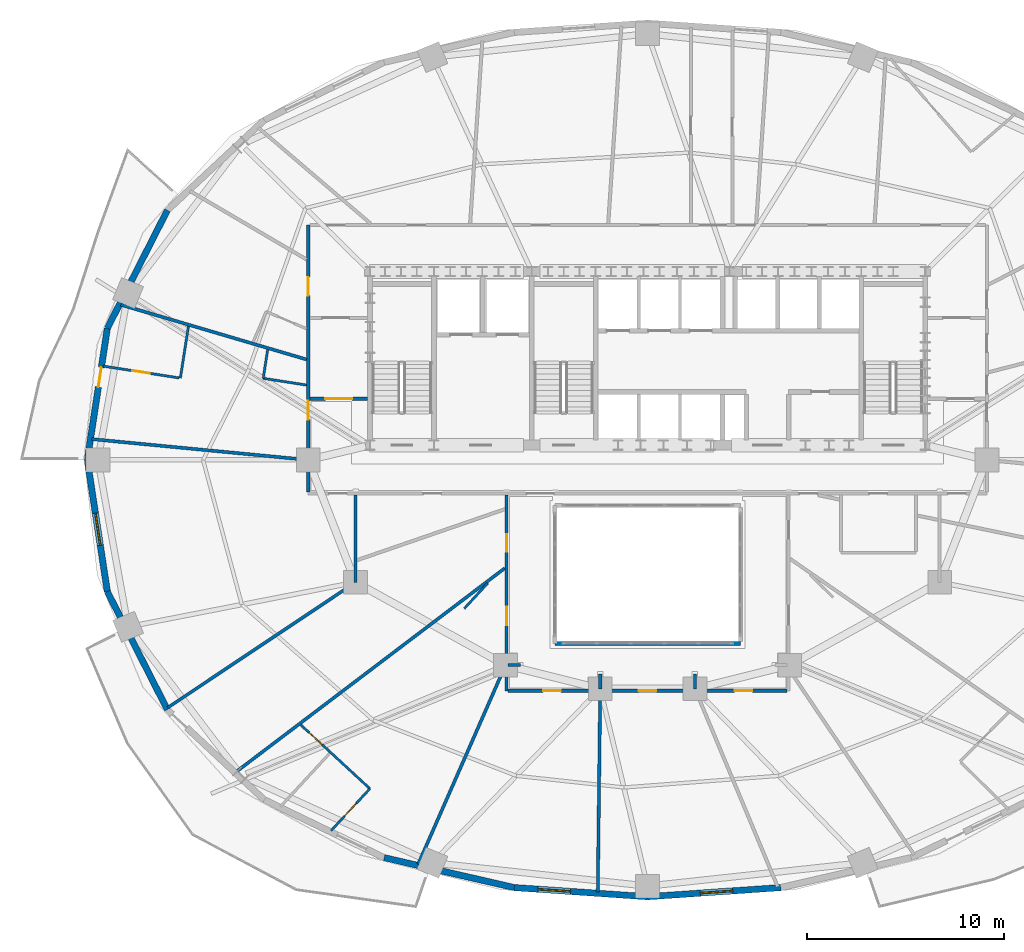
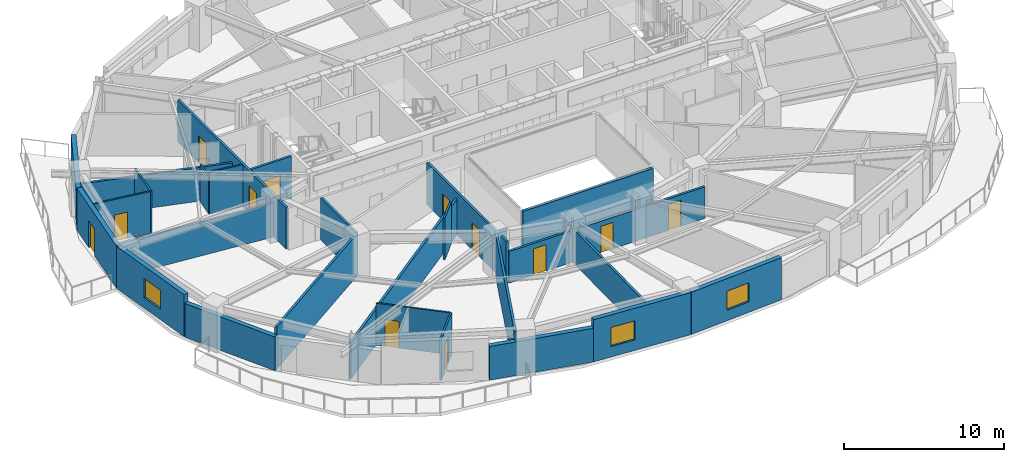
# One storey, part 7 of 14: 29 walls, 12 doors, 3 windows, 15 openings.
"""IFC4 building model written with IfcOpenShell, lengths in metres."""

import ifcopenshell
import ifcopenshell.guid

model = None  # the IFC model being written
_history = None  # IfcOwnerHistory: only IFC2X3 demands one
_inside = {}  # id of a spatial element -> (the spatial element, [elements in it])
_under = {}  # id of a project, library or spatial element -> (it, [spatial elements below it])
_declared = {}  # id of a project -> (the project, [libraries it declares])
_typed = {}  # id of a type object -> (the type object, [elements of that type])
_made_of = {}  # id of a material, layer set ... -> (it, [elements and type objects made of it])


def new_model(schema):
    """Start an empty IFC model of exactly this schema.

    Asked for "IFC4X3", IfcOpenShell would pick the latest addendum, in which some entities
    have other attributes; the version numbers below select the first issue.
    IFC2X3 requires an IfcOwnerHistory on every rooted entity: one is made here for all.
    """
    global model, _history
    if schema == "IFC4X3":
        model = ifcopenshell.file(schema_version=(4, 3, 0, 0))
    else:
        model = ifcopenshell.file(schema=schema)
    _inside.clear()
    _under.clear()
    _declared.clear()
    _typed.clear()
    _made_of.clear()
    _history = None
    if model.schema == "IFC2X3":
        org = make("IfcOrganization", Name="unknown")
        user = make(
            "IfcPersonAndOrganization",
            ThePerson=make("IfcPerson", FamilyName="unknown"),
            TheOrganization=org,
        )
        app = make(
            "IfcApplication",
            ApplicationDeveloper=org,
            Version="unknown",
            ApplicationFullName="unknown",
            ApplicationIdentifier="unknown",
        )
        _history = make(
            "IfcOwnerHistory",
            OwningUser=user,
            OwningApplication=app,
            ChangeAction="ADDED",
            CreationDate=0,
        )
    return model


def make(cls, **values):
    """One entity of the class cls with the attributes given. An attribute that is None is left unset."""
    return model.create_entity(
        cls, **{name: value for name, value in values.items() if value is not None}
    )


def rooted(cls, **values):
    """An entity with a GlobalId (a new one), such as an element, a storey or a relation."""
    return make(cls, GlobalId=ifcopenshell.guid.new(), OwnerHistory=_history, **values)


def si_unit(unit_type, name, prefix=None):
    """IfcSIUnit, for example si_unit("LENGTHUNIT", "METRE", prefix="MILLI")."""
    return make("IfcSIUnit", UnitType=unit_type, Prefix=prefix, Name=name)


def assignment(units):
    """IfcUnitAssignment: the units of a project."""
    return None if units is None else make("IfcUnitAssignment", Units=units)


def point(xyz):
    """IfcCartesianPoint."""
    return None if xyz is None else make("IfcCartesianPoint", Coordinates=xyz)


def direction(xyz):
    """IfcDirection."""
    return None if xyz is None else make("IfcDirection", DirectionRatios=xyz)


def frame(location, z_axis=None, x_axis=None):
    """IfcAxis2Placement3D, a coordinate frame: its origin and axes. An axis left out is left unset."""
    return make(
        "IfcAxis2Placement3D",
        Location=point(location),
        Axis=direction(z_axis),
        RefDirection=direction(x_axis),
    )


def frame_2d(location, x_axis=None):
    """IfcAxis2Placement2D, a coordinate frame in the plane: its origin and x axis."""
    return make(
        "IfcAxis2Placement2D", Location=point(location), RefDirection=direction(x_axis)
    )


def origin():
    """The frame at (0, 0, 0) with its axes left unset."""
    return frame((0.0, 0.0, 0.0))


def place(relative_to, where):
    """IfcLocalPlacement: puts the frame where relative to a parent placement (None: the world)."""
    return make(
        "IfcLocalPlacement", PlacementRelTo=relative_to, RelativePlacement=where
    )


def context(
    kind, dimensions, precision=None, world=None, true_north=None, identifier=None
):
    """IfcGeometricRepresentationContext, for example the 3D "Model" context."""
    return make(
        "IfcGeometricRepresentationContext",
        ContextIdentifier=identifier,
        ContextType=kind,
        CoordinateSpaceDimension=dimensions,
        Precision=precision,
        WorldCoordinateSystem=world,
        TrueNorth=true_north,
    )


def subcontext(parent, identifier, kind, view, scale=None):
    """IfcGeometricRepresentationSubContext, for example "Body" below "Model"."""
    return make(
        "IfcGeometricRepresentationSubContext",
        ContextIdentifier=identifier,
        ContextType=kind,
        ParentContext=parent,
        TargetScale=scale,
        TargetView=view,
    )


def project(units=None, contexts=None):
    """IfcProject with its units and contexts."""
    return rooted(
        "IfcProject",
        Name="project",
        RepresentationContexts=contexts,
        UnitsInContext=assignment(units),
    )


def spatial(cls, under=None, at=None, **own):
    """A site, building, storey or space (cls), placed at a placement, below another one or the project."""
    s = rooted(cls, ObjectPlacement=at, **own)
    if under is not None:
        _under.setdefault(under.id(), (under, []))[1].append(s)
    return s


def profile(cls, at=None, kind="AREA", **sizes):
    """A parametric profile (cls). Its sizes go by their IFC names, for example OverallWidth=200.0."""
    return make(cls, ProfileType=kind, Position=at, **sizes)


def rectangle(**sizes):
    """IfcRectangleProfileDef."""
    return profile("IfcRectangleProfileDef", **sizes)


def extrude(swept, where, along, depth):
    """IfcExtrudedAreaSolid: the profile swept, set in the frame where, extruded along a direction by depth."""
    return make(
        "IfcExtrudedAreaSolid",
        SweptArea=swept,
        Position=where,
        ExtrudedDirection=direction(along),
        Depth=depth,
    )


def shape(context_of_items, identifier, shape_type, items):
    """IfcShapeRepresentation: the items that make up one representation, for example the "Body"."""
    return make(
        "IfcShapeRepresentation",
        ContextOfItems=context_of_items,
        RepresentationIdentifier=identifier,
        RepresentationType=shape_type,
        Items=items,
    )


def material(Name=None, Category=None):
    """IfcMaterial."""
    return make("IfcMaterial", Name=Name, Category=Category)


def layer(
    of_material, thickness, ventilated=None, Name=None, Category=None, Priority=None
):
    """IfcMaterialLayer: one layer of a wall or slab, of a material (None: an air gap)."""
    return make(
        "IfcMaterialLayer",
        Material=of_material,
        LayerThickness=thickness,
        IsVentilated=ventilated,
        Name=Name,
        Category=Category,
        Priority=Priority,
    )


def layer_set(layers, Name=None):
    """IfcMaterialLayerSet."""
    return make("IfcMaterialLayerSet", MaterialLayers=layers, LayerSetName=Name)


def made_of(thing, what):
    """Note that an element or type object is made of a material, layer set ...; save() writes the relation."""
    if what is not None:
        _made_of.setdefault(what.id(), (what, []))[1].append(thing)
    return thing


def type_object(cls, material=None, **own):
    """A type object (cls), such as IfcWallType, which elements share."""
    return made_of(rooted(cls, **own), material)


def element(
    cls,
    number,
    at=None,
    inside=None,
    cuts=None,
    type_object=None,
    material=None,
    context=None,
    identifier="Body",
    shape_type=None,
    held_by="IfcProductDefinitionShape",
    body=None,
    shapes=None,
    **own,
):
    """One element of the class cls, such as IfcWall. Its Tag is "e" and its number.

    at: its placement. inside: the storey or other place that contains it. cuts: it is an
    opening in that element (IfcRelVoidsElement). A single representation is given by context,
    identifier, shape_type and body (its items); several are given by shapes. held_by: the class
    of the entity that holds the representations. save() writes the other relations.
    """
    e = rooted(cls, Tag="e%d" % number, ObjectPlacement=at, **own)
    if body is not None:
        shapes = [shape(context, identifier, shape_type, body)]
    if shapes is not None:
        e.Representation = make(held_by, Representations=shapes)
    if inside is not None:
        _inside.setdefault(inside.id(), (inside, []))[1].append(e)
    if cuts is not None:
        rooted(
            "IfcRelVoidsElement", RelatingBuildingElement=cuts, RelatedOpeningElement=e
        )
    if type_object is not None:
        _typed.setdefault(type_object.id(), (type_object, []))[1].append(e)
    return made_of(e, material)


def fill(opening, filler):
    """IfcRelFillsElement: the door or window that sits in an opening."""
    return rooted(
        "IfcRelFillsElement",
        RelatingOpeningElement=opening,
        RelatedBuildingElement=filler,
    )


def aggregate(whole, parts):
    """IfcRelAggregates: a whole, such as a stair, and the parts it consists of."""
    return rooted("IfcRelAggregates", RelatingObject=whole, RelatedObjects=parts)


def save(model, path):
    """Write the relations noted so far, then the file.

    IfcRelAggregates (storeys below a building ...), IfcRelContainedInSpatialStructure (elements
    in a storey), IfcRelDefinesByType, IfcRelAssociatesMaterial and IfcRelDeclares: one each for
    every whole, place, type object, material and project.
    """
    for whole, parts in _under.values():
        aggregate(whole, parts)
    for where, things in _inside.values():
        rooted(
            "IfcRelContainedInSpatialStructure",
            RelatedElements=things,
            RelatingStructure=where,
        )
    for kind, things in _typed.values():
        rooted("IfcRelDefinesByType", RelatedObjects=things, RelatingType=kind)
    for what, things in _made_of.values():
        rooted("IfcRelAssociatesMaterial", RelatedObjects=things, RelatingMaterial=what)
    for by, libraries in _declared.values():
        rooted("IfcRelDeclares", RelatingContext=by, RelatedDefinitions=libraries)
    model.write(path)


model = new_model("IFC4")

# Units and contexts
model_context = context("Model", 3, precision=1e-05, world=origin(), true_north=direction((0.0, 1.0)))
body_context = subcontext(model_context, "Body", "Model", "MODEL_VIEW")
ifc_project = project(units=[si_unit("LENGTHUNIT", "METRE"), si_unit("AREAUNIT", "SQUARE_METRE"), si_unit("VOLUMEUNIT", "CUBIC_METRE"), si_unit("PLANEANGLEUNIT", "RADIAN"), si_unit("MASSUNIT", "GRAM", prefix="KILO")], contexts=[model_context])

# Site, building, storey
site_placement = place(None, origin())
site = spatial("IfcSite", under=ifc_project, at=site_placement, CompositionType="ELEMENT")
building_placement = place(site_placement, origin())
building = spatial("IfcBuilding", under=site, at=building_placement, Name="Haldorwick Loom Tower", CompositionType="ELEMENT")
storey_placement = place(building_placement, frame((0.0, 0.0, 99.050048828125)))
storey = spatial("IfcBuildingStorey", under=building, at=storey_placement, Name="L26", CompositionType="ELEMENT", Elevation=99.050048828125)

# Wall
ifc_material_1 = material(Name="Pressed Clay Face Brick and Insulated Masonry Backup Assembly", Category="masonry")
ifc_layer_1 = layer(ifc_material_1, 0.320068359375, Name="Pressed Clay Face Brick and Insulated Masonry Backup Assembly", Category="masonry")
ifc_layer_set_1 = layer_set([ifc_layer_1], Name="Pressed Clay Face Brick and Insulated Masonry Backup Assembly")
wall_type_1 = type_object("IfcWallType", Name="ARC-WL-EXT320", PredefinedType="STANDARD", material=ifc_layer_set_1)
wall_1_placement = place(storey_placement, frame((11.661376953125, 38.655517578125, 0.0), z_axis=(0.0, 0.0, 1.0), x_axis=(-0.453374078001, -0.89132033826, 0.0)))
element("IfcWall", 1, at=wall_1_placement, inside=storey, type_object=wall_type_1, Name="L26 Brick Pier and Spandrel Wall 11", PredefinedType="STANDARD", context=body_context, shape_type="SweptSolid", body=[
    extrude(rectangle(XDim=6.709716796875, YDim=0.320068359375, at=frame_2d((3.35498046875, 0.0))), origin(), (0.0, 0.0, 1.0), 2.56884765625),
])

# Wall, opening, door
wall_2_placement = place(storey_placement, frame((8.619384765625, 32.675048828125, 0.0), z_axis=(0.0, 0.0, 1.0), x_axis=(-0.150633288003, -0.988589708901, 0.0)))
wall_2 = element("IfcWall", 2, at=wall_2_placement, inside=storey, type_object=wall_type_1, Name="L26 Brick Pier and Spandrel Wall 12", PredefinedType="STANDARD", context=body_context, shape_type="SweptSolid", body=[
    extrude(rectangle(XDim=6.752197265625, YDim=0.320068359375, at=frame_2d((3.3759765625, 0.0))), origin(), (0.0, 0.0, 1.0), 3.2099609375),
])
opening_1_placement = place(wall_2_placement, frame((2.0107421875, 0.0, 0.0)))
opening_1 = element("IfcOpeningElement", 3, at=opening_1_placement, cuts=wall_2, Name="Opening D-BL10", PredefinedType="OPENING", context=body_context, shape_type="SweptSolid", body=[
    extrude(rectangle(XDim=1.0, YDim=2.0400390625, at=frame_2d((0.5, 1.02001953125))), frame((0.0, 0.169921875, 0.0), z_axis=(0.0, -1.0, 0.0), x_axis=(1.0, 0.0, 0.0)), (0.0, 0.0, 1.0), 0.340087890625),
])
ifc_material_2 = material(Name="Thermally Broken Anodized Aluminium Curtain Wall Framing", Category="aluminium")
door_type_1 = type_object("IfcDoorType", Name="ARC-DR-BAL100", OperationType="NOTDEFINED", PredefinedType="DOOR", material=ifc_material_2)
door_1_placement = place(opening_1_placement, origin())
door_1 = element("IfcDoor", 4, at=door_1_placement, inside=storey, type_object=door_type_1, Name="L26 Outdoor Terrace Door SLB-L26-BAL_WNW", OperationType="SINGLE_SWING_LEFT", OverallHeight=2.0400390625, OverallWidth=1.0, PredefinedType="DOOR", context=body_context, shape_type="SweptSolid", body=[
    extrude(rectangle(XDim=1.0, YDim=2.0400390625, at=frame_2d((0.5, 1.02001953125))), frame((0.0, 0.02490234375, 0.0), z_axis=(0.0, -1.0, 0.0), x_axis=(1.0, 0.0, 0.0)), (0.0, 0.0, 1.0), 0.050048828125),
])
fill(opening_1, door_1)

# Wall, opening, window
wall_3_placement = place(storey_placement, frame((7.602294921875, 26.0, 0.0), z_axis=(0.0, 0.0, 1.0), x_axis=(0.150633288003, -0.988589708901, 0.0)))
wall_3 = element("IfcWall", 5, at=wall_3_placement, inside=storey, type_object=wall_type_1, Name="L26 Brick Pier and Spandrel Wall 13", PredefinedType="STANDARD", context=body_context, shape_type="SweptSolid", body=[
    extrude(rectangle(XDim=6.752197265625, YDim=0.320068359375, at=frame_2d((3.3759765625, 0.0))), origin(), (0.0, 0.0, 1.0), 3.2099609375),
])
opening_2_placement = place(wall_3_placement, frame((2.730224609375, 0.0, 0.800048828125)))
opening_2 = element("IfcOpeningElement", 6, at=opening_2_placement, cuts=wall_3, Name="Opening W-01B", PredefinedType="OPENING", context=body_context, shape_type="SweptSolid", body=[
    extrude(rectangle(XDim=1.64990234375, YDim=1.449951171875, at=frame_2d((0.824951171875, 0.72509765625))), frame((0.0, 0.169921875, 0.0), z_axis=(0.0, -1.0, 0.0), x_axis=(1.0, 0.0, 0.0)), (0.0, 0.0, 1.0), 0.340087890625),
])
ifc_material_3 = material(Name="Triple-Glazed Low-E Argon Insulated Glazing Unit", Category="glass")
window_type = type_object("IfcWindowType", Name="ARC-WIN-W165", PartitioningType="SINGLE_PANEL", PredefinedType="WINDOW", material=ifc_material_3)
window_1_placement = place(opening_2_placement, origin())
window_1 = element("IfcWindow", 7, at=window_1_placement, inside=storey, type_object=window_type, Name="L26 Deep-Set Zone 7A Window 13", OverallHeight=1.449951171875, OverallWidth=1.64990234375, PartitioningType="SINGLE_PANEL", PredefinedType="WINDOW", context=body_context, shape_type="SweptSolid", body=[
    extrude(rectangle(XDim=1.64990234375, YDim=1.449951171875, at=frame_2d((0.824951171875, 0.72509765625))), frame((0.0, 0.030029296875, 0.0), z_axis=(0.0, -1.0, 0.0), x_axis=(1.0, 0.0, 0.0)), (0.0, 0.0, 1.0), 0.06005859375),
])
fill(opening_2, window_1)

# Walls
wall_4_placement = place(storey_placement, frame((8.619384765625, 19.324951171875, 0.0), z_axis=(0.0, 0.0, 1.0), x_axis=(0.453374078001, -0.89132033826, 0.0)))
element("IfcWall", 8, at=wall_4_placement, inside=storey, type_object=wall_type_1, Name="L26 Brick Pier and Spandrel Wall 14", PredefinedType="STANDARD", context=body_context, shape_type="SweptSolid", body=[
    extrude(rectangle(XDim=6.709716796875, YDim=0.320068359375, at=frame_2d((3.35498046875, 0.0))), origin(), (0.0, 0.0, 1.0), 2.56884765625),
])
wall_5_placement = place(storey_placement, frame((22.647216796875, 5.841552734375, 0.0), z_axis=(0.0, 0.0, 1.0), x_axis=(0.974584177714, -0.224021607329, 0.0)))
element("IfcWall", 9, at=wall_5_placement, inside=storey, type_object=wall_type_1, Name="L26 Brick Pier and Spandrel Wall 17", PredefinedType="STANDARD", context=body_context, shape_type="SweptSolid", body=[
    extrude(rectangle(XDim=6.767822265625, YDim=0.320068359375, at=frame_2d((3.3837890625, 0.0))), origin(), (0.0, 0.0, 1.0), 2.56884765625),
])

# Wall, opening, window
wall_6_placement = place(storey_placement, frame((29.242919921875, 4.325439453125, 0.0), z_axis=(0.0, 0.0, 1.0), x_axis=(0.997651949344, -0.068487867318, 0.0)))
wall_6 = element("IfcWall", 10, at=wall_6_placement, inside=storey, type_object=wall_type_1, Name="L26 Brick Pier and Spandrel Wall 18", PredefinedType="STANDARD", context=body_context, shape_type="SweptSolid", body=[
    extrude(rectangle(XDim=6.77294921875, YDim=0.320068359375, at=frame_2d((3.386474609375, 0.0))), origin(), (0.0, 0.0, 1.0), 3.2099609375),
])
opening_3_placement = place(wall_6_placement, frame((1.206787109375, 0.0, 0.800048828125)))
opening_3 = element("IfcOpeningElement", 11, at=opening_3_placement, cuts=wall_6, Name="Opening W-01B", PredefinedType="OPENING", context=body_context, shape_type="SweptSolid", body=[
    extrude(rectangle(XDim=1.64990234375, YDim=1.449951171875, at=frame_2d((0.824951171875, 0.72509765625))), frame((0.0, 0.169921875, 0.0), z_axis=(0.0, -1.0, 0.0), x_axis=(1.0, 0.0, 0.0)), (0.0, 0.0, 1.0), 0.340087890625),
])
window_2_placement = place(opening_3_placement, origin())
window_2 = element("IfcWindow", 12, at=window_2_placement, inside=storey, type_object=window_type, Name="L26 Deep-Set Zone 7A Window 18", OverallHeight=1.449951171875, OverallWidth=1.64990234375, PartitioningType="SINGLE_PANEL", PredefinedType="WINDOW", context=body_context, shape_type="SweptSolid", body=[
    extrude(rectangle(XDim=1.64990234375, YDim=1.449951171875, at=frame_2d((0.824951171875, 0.72509765625))), frame((0.0, 0.030029296875, 0.0), z_axis=(0.0, -1.0, 0.0), x_axis=(1.0, 0.0, 0.0)), (0.0, 0.0, 1.0), 0.06005859375),
])
fill(opening_3, window_2)

wall_7_placement = place(storey_placement, frame((36.0, 3.861572265625, 0.0), z_axis=(0.0, 0.0, 1.0), x_axis=(0.997651949344, 0.068487867318, 0.0)))
wall_7 = element("IfcWall", 13, at=wall_7_placement, inside=storey, type_object=wall_type_1, Name="L26 Brick Pier and Spandrel Wall 19", PredefinedType="STANDARD", context=body_context, shape_type="SweptSolid", body=[
    extrude(rectangle(XDim=6.77294921875, YDim=0.320068359375, at=frame_2d((3.386474609375, 0.0))), origin(), (0.0, 0.0, 1.0), 3.2099609375),
])
opening_4_placement = place(wall_7_placement, frame((2.681640625, 0.0, 0.800048828125)))
opening_4 = element("IfcOpeningElement", 14, at=opening_4_placement, cuts=wall_7, Name="Opening W-01B", PredefinedType="OPENING", context=body_context, shape_type="SweptSolid", body=[
    extrude(rectangle(XDim=1.64990234375, YDim=1.449951171875, at=frame_2d((0.824951171875, 0.72509765625))), frame((0.0, 0.169921875, 0.0), z_axis=(0.0, -1.0, 0.0), x_axis=(1.0, 0.0, 0.0)), (0.0, 0.0, 1.0), 0.340087890625),
])
window_3_placement = place(opening_4_placement, origin())
window_3 = element("IfcWindow", 15, at=window_3_placement, inside=storey, type_object=window_type, Name="L26 Deep-Set Zone 7A Window 19", OverallHeight=1.449951171875, OverallWidth=1.64990234375, PartitioningType="SINGLE_PANEL", PredefinedType="WINDOW", context=body_context, shape_type="SweptSolid", body=[
    extrude(rectangle(XDim=1.64990234375, YDim=1.449951171875, at=frame_2d((0.824951171875, 0.72509765625))), frame((0.0, 0.030029296875, 0.0), z_axis=(0.0, -1.0, 0.0), x_axis=(1.0, 0.0, 0.0)), (0.0, 0.0, 1.0), 0.06005859375),
])
fill(opening_4, window_3)

# Wall, openings, doors
ifc_material_4 = material(Name="Fire-Rated Type X Gypsum Stud Assembly EI 60")
ifc_layer_2 = layer(ifc_material_4, 0.159912109375, Name="Fire-Rated Type X Gypsum Stud Assembly EI 60")
ifc_layer_set_2 = layer_set([ifc_layer_2], Name="Fire-Rated Type X Gypsum Stud Assembly EI 60")
wall_type_2 = type_object("IfcWallType", Name="ARC-WL-FIRE160", PredefinedType="PARTITIONING", material=ifc_layer_set_2)
wall_8_placement = place(storey_placement, frame((18.800048828125, 24.383056640625, 0.0), z_axis=(0.0, 0.0, 1.0), x_axis=(0.0, 1.0, 0.0)))
wall_8 = element("IfcWall", 16, at=wall_8_placement, inside=storey, type_object=wall_type_2, Name="L26 Residential Fire Partition L26-CR-W0", PredefinedType="PARTITIONING", context=body_context, shape_type="SweptSolid", body=[
    extrude(rectangle(XDim=13.516845703125, YDim=0.159912109375, at=frame_2d((6.75830078125, 0.0))), origin(), (0.0, 0.0, 1.0), 3.195068359375),
])
opening_5_placement = place(wall_8_placement, frame((3.661865234375, 0.0, 0.0)))
opening_5 = element("IfcOpeningElement", 17, at=opening_5_placement, cuts=wall_8, Name="Opening D-FL95", PredefinedType="OPENING", context=body_context, shape_type="SweptSolid", body=[
    extrude(rectangle(XDim=0.949951171875, YDim=2.0400390625, at=frame_2d((0.47509765625, 1.02001953125))), frame((0.0, 0.08984375, 0.0), z_axis=(0.0, -1.0, 0.0), x_axis=(1.0, 0.0, 0.0)), (0.0, 0.0, 1.0), 0.179931640625),
])
opening_6_placement = place(wall_8_placement, frame((9.939697265625, 0.0, 0.0)))
opening_6 = element("IfcOpeningElement", 18, at=opening_6_placement, cuts=wall_8, Name="Opening D-FL95", PredefinedType="OPENING", context=body_context, shape_type="SweptSolid", body=[
    extrude(rectangle(XDim=0.949951171875, YDim=2.0400390625, at=frame_2d((0.47509765625, 1.02001953125))), frame((0.0, 0.08984375, 0.0), z_axis=(0.0, -1.0, 0.0), x_axis=(1.0, 0.0, 0.0)), (0.0, 0.0, 1.0), 0.179931640625),
])
ifc_material_5 = material(Name="Solid Core Birch Architectural Door")
door_type_2 = type_object("IfcDoorType", Name="ARC-DR-FLAT95", OperationType="NOTDEFINED", PredefinedType="DOOR", material=ifc_material_5)
door_2_placement = place(opening_5_placement, frame((0.949951171875, 0.0, 0.0), z_axis=(0.0, 0.0, 1.0), x_axis=(-1.0, 0.0, 0.0)))
door_2 = element("IfcDoor", 19, at=door_2_placement, inside=storey, type_object=door_type_2, Name="L26 Unit 26J Kitchen and Studio Living Room to L26 Central Residential C", OperationType="SINGLE_SWING_RIGHT", OverallHeight=2.0400390625, OverallWidth=0.949951171875, PredefinedType="DOOR", context=body_context, shape_type="SweptSolid", body=[
    extrude(rectangle(XDim=0.949951171875, YDim=2.0400390625, at=frame_2d((0.47509765625, 1.02001953125))), frame((0.0, 0.02490234375, 0.0), z_axis=(0.0, -1.0, 0.0), x_axis=(1.0, 0.0, 0.0)), (0.0, 0.0, 1.0), 0.050048828125),
])
fill(opening_5, door_2)
door_3_placement = place(opening_6_placement, frame((0.949951171875, 0.0, 0.0), z_axis=(0.0, 0.0, 1.0), x_axis=(-1.0, 0.0, 0.0)))
door_3 = element("IfcDoor", 20, at=door_3_placement, inside=storey, type_object=door_type_2, Name="L26 Unit 26K Kitchen and Studio Living Room to L26 North Residential Cor", OperationType="SINGLE_SWING_RIGHT", OverallHeight=2.0400390625, OverallWidth=0.949951171875, PredefinedType="DOOR", context=body_context, shape_type="SweptSolid", body=[
    extrude(rectangle(XDim=0.949951171875, YDim=2.0400390625, at=frame_2d((0.47509765625, 1.02001953125))), frame((0.0, 0.02490234375, 0.0), z_axis=(0.0, -1.0, 0.0), x_axis=(1.0, 0.0, 0.0)), (0.0, 0.0, 1.0), 0.050048828125),
])
fill(opening_6, door_3)

# Wall, opening, door
wall_9_placement = place(storey_placement, frame((18.883056640625, 29.10009765625, 0.0), z_axis=(0.0, 0.0, 1.0), x_axis=(1.0, 0.0, 0.0)))
wall_9 = element("IfcWall", 21, at=wall_9_placement, inside=storey, type_object=wall_type_2, Name="L26 Residential Fire Partition L26-CR-WSJ", PredefinedType="PARTITIONING", context=body_context, shape_type="SweptSolid", body=[
    extrude(rectangle(XDim=2.923828125, YDim=0.159912109375, at=frame_2d((1.4619140625, 0.0))), origin(), (0.0, 0.0, 1.0), 3.195068359375),
])
opening_7_placement = place(wall_9_placement, frame((0.787109375, 0.0, 0.0)))
opening_7 = element("IfcOpeningElement", 22, at=opening_7_placement, cuts=wall_9, Name="Opening D-CR15", PredefinedType="OPENING", context=body_context, shape_type="SweptSolid", body=[
    extrude(rectangle(XDim=1.35009765625, YDim=2.0, at=frame_2d((0.675048828125, 1.0))), frame((0.0, 0.08984375, 0.0), z_axis=(0.0, -1.0, 0.0), x_axis=(1.0, 0.0, 0.0)), (0.0, 0.0, 1.0), 0.179931640625),
])
ifc_material_6 = material(Name="Thermally Broken Anodized Aluminium and Tempered Glass", Category="aluminium")
door_type_3 = type_object("IfcDoorType", Name="ARC-DR-COR150", OperationType="NOTDEFINED", PredefinedType="DOOR", material=ifc_material_6)
door_4_placement = place(opening_7_placement, origin())
door_4 = element("IfcDoor", 23, at=door_4_placement, inside=storey, type_object=door_type_3, Name="L26 L26 West Residential Corridor to L26 Central Residential Corridor Do", OperationType="DOUBLE_DOOR_SINGLE_SWING", OverallHeight=2.0, OverallWidth=1.35009765625, PredefinedType="DOOR", context=body_context, shape_type="SweptSolid", body=[
    extrude(rectangle(XDim=1.35009765625, YDim=2.0, at=frame_2d((0.675048828125, 1.0))), frame((0.0, 0.02490234375, 0.0), z_axis=(0.0, -1.0, 0.0), x_axis=(1.0, 0.0, 0.0)), (0.0, 0.0, 1.0), 0.050048828125),
])
fill(opening_7, door_4)

# Wall, openings, doors
wall_10_placement = place(storey_placement, frame((28.85009765625, 14.300048828125, 0.0), z_axis=(0.0, 0.0, 1.0), x_axis=(0.0, 1.0, 0.0)))
wall_10 = element("IfcWall", 24, at=wall_10_placement, inside=storey, type_object=wall_type_2, Name="L26 Residential Fire Partition L26-CR-AW", PredefinedType="PARTITIONING", context=body_context, shape_type="SweptSolid", body=[
    extrude(rectangle(XDim=9.9169921875, YDim=0.159912109375, at=frame_2d((4.95849609375, 0.0))), origin(), (0.0, 0.0, 1.0), 3.195068359375),
])
opening_8_placement = place(wall_10_placement, frame((3.3125, 0.0, 0.0)))
opening_8 = element("IfcOpeningElement", 25, at=opening_8_placement, cuts=wall_10, Name="Opening D-FL95", PredefinedType="OPENING", context=body_context, shape_type="SweptSolid", body=[
    extrude(rectangle(XDim=0.949951171875, YDim=2.0400390625, at=frame_2d((0.47509765625, 1.02001953125))), frame((0.0, 0.08984375, 0.0), z_axis=(0.0, -1.0, 0.0), x_axis=(1.0, 0.0, 0.0)), (0.0, 0.0, 1.0), 0.179931640625),
])
opening_9_placement = place(wall_10_placement, frame((7.042724609375, 0.0, 0.0)))
opening_9 = element("IfcOpeningElement", 26, at=opening_9_placement, cuts=wall_10, Name="Opening D-FD60A", PredefinedType="OPENING", context=body_context, shape_type="SweptSolid", body=[
    extrude(rectangle(XDim=0.89990234375, YDim=2.0, at=frame_2d((0.449951171875, 1.0))), frame((0.0, 0.08984375, 0.0), z_axis=(0.0, -1.0, 0.0), x_axis=(1.0, 0.0, 0.0)), (0.0, 0.0, 1.0), 0.179931640625),
])
ifc_material_7 = material(Name="Hollow Steel Fire Door Assembly", Category="steel")
door_type_4 = type_object("IfcDoorType", Name="ARC-DR-FD60-90", OperationType="NOTDEFINED", PredefinedType="DOOR", material=ifc_material_7)
door_5_placement = place(opening_9_placement, frame((0.89990234375, 0.0, 0.0), z_axis=(0.0, 0.0, 1.0), x_axis=(-1.0, 0.0, 0.0)))
door_5 = element("IfcDoor", 27, at=door_5_placement, inside=storey, type_object=door_type_4, Name="L26 Co-Working Open Office 5 to L26 South Atrium Corridor Door", OperationType="SINGLE_SWING_LEFT", OverallHeight=2.0, OverallWidth=0.89990234375, PredefinedType="DOOR", context=body_context, shape_type="SweptSolid", body=[
    extrude(rectangle(XDim=0.89990234375, YDim=2.0, at=frame_2d((0.449951171875, 1.0))), frame((0.0, 0.02490234375, 0.0), z_axis=(0.0, -1.0, 0.0), x_axis=(1.0, 0.0, 0.0)), (0.0, 0.0, 1.0), 0.050048828125),
])
fill(opening_9, door_5)
door_6_placement = place(opening_8_placement, frame((0.949951171875, 0.0, 0.0), z_axis=(0.0, 0.0, 1.0), x_axis=(-1.0, 0.0, 0.0)))
door_6 = element("IfcDoor", 28, at=door_6_placement, inside=storey, type_object=door_type_2, Name="L26 Unit 26M Kitchen and Living Room to L26 South Atrium Corridor Door", OperationType="SINGLE_SWING_LEFT", OverallHeight=2.0400390625, OverallWidth=0.949951171875, PredefinedType="DOOR", context=body_context, shape_type="SweptSolid", body=[
    extrude(rectangle(XDim=0.949951171875, YDim=2.0400390625, at=frame_2d((0.47509765625, 1.02001953125))), frame((0.0, 0.02490234375, 0.0), z_axis=(0.0, -1.0, 0.0), x_axis=(1.0, 0.0, 0.0)), (0.0, 0.0, 1.0), 0.050048828125),
])
fill(opening_8, door_6)

wall_11_placement = place(storey_placement, frame((28.93310546875, 14.300048828125, 0.0), z_axis=(0.0, 0.0, 1.0), x_axis=(1.0, 0.0, 0.0)))
wall_11 = element("IfcWall", 29, at=wall_11_placement, inside=storey, type_object=wall_type_2, Name="L26 Residential Fire Partition L26-CR-AS", PredefinedType="PARTITIONING", context=body_context, shape_type="SweptSolid", body=[
    extrude(rectangle(XDim=14.1337890625, YDim=0.159912109375, at=frame_2d((7.06689453125, 0.0))), origin(), (0.0, 0.0, 1.0), 2.411865234375),
])
opening_10_placement = place(wall_11_placement, frame((6.626953125, 0.0, 0.0)))
opening_10 = element("IfcOpeningElement", 30, at=opening_10_placement, cuts=wall_11, Name="Opening D-FD88", PredefinedType="OPENING", context=body_context, shape_type="SweptSolid", body=[
    extrude(rectangle(XDim=0.8798828125, YDim=2.02001953125, at=frame_2d((0.43994140625, 1.010009765625))), frame((0.0, 0.08984375, 0.0), z_axis=(0.0, -1.0, 0.0), x_axis=(1.0, 0.0, 0.0)), (0.0, 0.0, 1.0), 0.179931640625),
])
opening_11_placement = place(wall_11_placement, frame((1.77880859375, 0.0, 0.0)))
opening_11 = element("IfcOpeningElement", 31, at=opening_11_placement, cuts=wall_11, Name="Opening D-FD60A", PredefinedType="OPENING", context=body_context, shape_type="SweptSolid", body=[
    extrude(rectangle(XDim=0.89990234375, YDim=2.0, at=frame_2d((0.449951171875, 1.0))), frame((0.0, 0.08984375, 0.0), z_axis=(0.0, -1.0, 0.0), x_axis=(1.0, 0.0, 0.0)), (0.0, 0.0, 1.0), 0.179931640625),
])
opening_12_placement = place(wall_11_placement, frame((11.4755859375, 0.0, 0.0)))
opening_12 = element("IfcOpeningElement", 32, at=opening_12_placement, cuts=wall_11, Name="Opening D-FD60A", PredefinedType="OPENING", context=body_context, shape_type="SweptSolid", body=[
    extrude(rectangle(XDim=0.89990234375, YDim=2.0, at=frame_2d((0.449951171875, 1.0))), frame((0.0, 0.08984375, 0.0), z_axis=(0.0, -1.0, 0.0), x_axis=(1.0, 0.0, 0.0)), (0.0, 0.0, 1.0), 0.179931640625),
])
door_type_5 = type_object("IfcDoorType", Name="ARC-DR-FD60-88", OperationType="NOTDEFINED", PredefinedType="DOOR", material=ifc_material_7)
door_7_placement = place(opening_10_placement, origin())
door_7 = element("IfcDoor", 33, at=door_7_placement, inside=storey, type_object=door_type_5, Name="L26 L26 South Atrium Corridor to Shared Tea Pantry 1 Door", OperationType="SINGLE_SWING_RIGHT", OverallHeight=2.02001953125, OverallWidth=0.8798828125, PredefinedType="DOOR", context=body_context, shape_type="SweptSolid", body=[
    extrude(rectangle(XDim=0.8798828125, YDim=2.02001953125, at=frame_2d((0.43994140625, 1.010009765625))), frame((0.0, 0.02490234375, 0.0), z_axis=(0.0, -1.0, 0.0), x_axis=(1.0, 0.0, 0.0)), (0.0, 0.0, 1.0), 0.050048828125),
])
fill(opening_10, door_7)
door_8_placement = place(opening_11_placement, origin())
door_8 = element("IfcDoor", 34, at=door_8_placement, inside=storey, type_object=door_type_4, Name="L26 L26 South Atrium Corridor to Shared Tea Pantry 2 Door", OperationType="SINGLE_SWING_LEFT", OverallHeight=2.0, OverallWidth=0.89990234375, PredefinedType="DOOR", context=body_context, shape_type="SweptSolid", body=[
    extrude(rectangle(XDim=0.89990234375, YDim=2.0, at=frame_2d((0.449951171875, 1.0))), frame((0.0, 0.02490234375, 0.0), z_axis=(0.0, -1.0, 0.0), x_axis=(1.0, 0.0, 0.0)), (0.0, 0.0, 1.0), 0.050048828125),
])
fill(opening_11, door_8)
door_9_placement = place(opening_12_placement, origin())
door_9 = element("IfcDoor", 35, at=door_9_placement, inside=storey, type_object=door_type_4, Name="L26 L26 South Atrium Corridor to Co-Working Open Office 6 Door", OperationType="SINGLE_SWING_RIGHT", OverallHeight=2.0, OverallWidth=0.89990234375, PredefinedType="DOOR", context=body_context, shape_type="SweptSolid", body=[
    extrude(rectangle(XDim=0.89990234375, YDim=2.0, at=frame_2d((0.449951171875, 1.0))), frame((0.0, 0.02490234375, 0.0), z_axis=(0.0, -1.0, 0.0), x_axis=(1.0, 0.0, 0.0)), (0.0, 0.0, 1.0), 0.050048828125),
])
fill(opening_12, door_9)

# Walls
wall_12_placement = place(storey_placement, frame((33.597900390625, 14.217041015625, 0.0), z_axis=(0.0, 0.0, 1.0), x_axis=(-0.012040923411, -0.999927505454, 0.0)))
element("IfcWall", 36, at=wall_12_placement, inside=storey, type_object=wall_type_2, Name="L26 Residential Fire Partition L26-ICR-07", PredefinedType="PARTITIONING", context=body_context, shape_type="SweptSolid", body=[
    extrude(rectangle(XDim=10.11767578125, YDim=0.159912109375, at=frame_2d((5.058837890625, 0.0))), origin(), (0.0, 0.0, 1.0), 2.56787109375),
])
wall_13_placement = place(storey_placement, frame((28.76708984375, 15.52490234375, 0.0), z_axis=(0.0, 0.0, 1.0), x_axis=(-0.401875008361, -0.915694532939, 0.0)))
element("IfcWall", 37, at=wall_13_placement, inside=storey, type_object=wall_type_2, Name="L26 Residential Fire Partition L26-ICR-09", PredefinedType="PARTITIONING", context=body_context, shape_type="SweptSolid", body=[
    extrude(rectangle(XDim=10.93505859375, YDim=0.159912109375, at=frame_2d((5.467529296875, 0.0))), origin(), (0.0, 0.0, 1.0), 3.195068359375),
])
wall_14_placement = place(storey_placement, frame((21.199951171875, 19.800048828125, 0.0), z_axis=(0.0, 0.0, 1.0), x_axis=(-0.831666071821, -0.555276097975, 0.0)))
element("IfcWall", 38, at=wall_14_placement, inside=storey, type_object=wall_type_2, Name="L26 Residential Fire Partition L26-ICR-11", PredefinedType="PARTITIONING", context=body_context, shape_type="SweptSolid", body=[
    extrude(rectangle(XDim=11.443359375, YDim=0.159912109375, at=frame_2d((5.7216796875, 0.0))), origin(), (0.0, 0.0, 1.0), 3.195068359375),
])
wall_15_placement = place(storey_placement, frame((18.717041015625, 26.008056640625, 0.0), z_axis=(0.0, 0.0, 1.0), x_axis=(-0.995396629951, 0.095841270243, 0.0)))
element("IfcWall", 39, at=wall_15_placement, inside=storey, type_object=wall_type_2, Name="L26 Residential Fire Partition L26-ICR-12", PredefinedType="PARTITIONING", context=body_context, shape_type="SweptSolid", body=[
    extrude(rectangle(XDim=10.938232421875, YDim=0.159912109375, at=frame_2d((5.46923828125, 0.0))), origin(), (0.0, 0.0, 1.0), 2.56787109375),
])
for number, where, z_axis, x_axis, name in (
    (40, (38.39990234375, 15.14990234375, 0.0), (0.0, 0.0, 1.0), (0.0, -1.0, 0.0), "L26 Residential Fire Partition L26-ICA-04"),
    (41, (33.60009765625, 15.14990234375, 0.0), (0.0, 0.0, 1.0), (0.0, -1.0, 0.0), "L26 Residential Fire Partition L26-ICA-06"),
):
    element("IfcWall", number, at=place(storey_placement, frame(where, z_axis=z_axis, x_axis=x_axis)), inside=storey, type_object=wall_type_2, Name=name, PredefinedType="PARTITIONING", context=body_context, shape_type="SweptSolid", body=[
        extrude(rectangle(XDim=0.75, YDim=0.159912109375, at=frame_2d((0.375, 0.0))), origin(), (0.0, 0.0, 1.0), 3.195068359375),
    ])
wall_16_placement = place(storey_placement, frame((29.550048828125, 15.60009765625, 0.0), z_axis=(0.0, 0.0, 1.0), x_axis=(-1.0, 0.0, 0.0)))
element("IfcWall", 42, at=wall_16_placement, inside=storey, type_object=wall_type_2, Name="L26 Residential Fire Partition L26-ICA-08", PredefinedType="PARTITIONING", context=body_context, shape_type="SweptSolid", body=[
    extrude(rectangle(XDim=0.616943359375, YDim=0.159912109375, at=frame_2d((0.30859375, 0.0))), origin(), (0.0, 0.0, 1.0), 3.195068359375),
])
wall_17_placement = place(storey_placement, frame((21.199951171875, 24.217041015625, 0.0), z_axis=(0.0, 0.0, 1.0), x_axis=(0.0, -1.0, 0.0)))
element("IfcWall", 43, at=wall_17_placement, inside=storey, type_object=wall_type_2, Name="L26 Residential Fire Partition L26-ICA-10", PredefinedType="PARTITIONING", context=body_context, shape_type="SweptSolid", body=[
    extrude(rectangle(XDim=4.4169921875, YDim=0.159912109375, at=frame_2d((2.20849609375, 0.0))), origin(), (0.0, 0.0, 1.0), 3.195068359375),
])
wall_18_placement = place(storey_placement, frame((28.76708984375, 20.517333984375, 0.0), z_axis=(0.0, 0.0, 1.0), x_axis=(-0.796926704047, -0.604076012085, 0.0)))
element("IfcWall", 44, at=wall_18_placement, inside=storey, type_object=wall_type_2, Name="L26 Suite Split Wall", PredefinedType="PARTITIONING", context=body_context, shape_type="SweptSolid", body=[
    extrude(rectangle(XDim=17.093017578125, YDim=0.159912109375, at=frame_2d((8.54638671875, 0.0))), origin(), (0.0, 0.0, 1.0), 2.718994140625),
])
wall_19_placement = place(storey_placement, frame((18.717041015625, 31.091796875, 0.0), z_axis=(0.0, 0.0, 1.0), x_axis=(-0.959240687081, 0.282590347055, 0.0)))
element("IfcWall", 45, at=wall_19_placement, inside=storey, type_object=wall_type_2, Name="L26 Suite Split Wall", PredefinedType="PARTITIONING", context=body_context, shape_type="SweptSolid", body=[
    extrude(rectangle(XDim=9.818603515625, YDim=0.159912109375, at=frame_2d((4.9091796875, 0.0))), origin(), (0.0, 0.0, 1.0), 2.56787109375),
])
ifc_material_8 = material(Name="Fire-Rated Type X Gypsum Stud Assembly EI 120")
ifc_layer_3 = layer(ifc_material_8, 0.199951171875, Name="Fire-Rated Type X Gypsum Stud Assembly EI 120")
ifc_layer_set_3 = layer_set([ifc_layer_3], Name="Fire-Rated Type X Gypsum Stud Assembly EI 120")
wall_type_3 = type_object("IfcWallType", Name="ARC-WL-FIRE200", PredefinedType="PARTITIONING", material=ifc_layer_set_3)
wall_20_placement = place(storey_placement, frame((40.699951171875, 16.699951171875, 0.0), z_axis=(0.0, 0.0, 1.0), x_axis=(-1.0, 0.0, 0.0)))
element("IfcWall", 46, at=wall_20_placement, inside=storey, type_object=wall_type_3, Name="L26 Atrium Fire Enclosure Wall S", PredefinedType="PARTITIONING", context=body_context, shape_type="SweptSolid", body=[
    extrude(rectangle(XDim=9.39990234375, YDim=0.199951171875, at=frame_2d((4.699951171875, 0.0))), origin(), (0.0, 0.0, 1.0), 3.195068359375),
])
ifc_material_9 = material(Name="Acoustic Gypsum Stud Assembly STC 55")
ifc_layer_4 = layer(ifc_material_9, 0.1201171875, Name="Acoustic Gypsum Stud Assembly STC 55")
ifc_layer_set_4 = layer_set([ifc_layer_4], Name="Acoustic Gypsum Stud Assembly STC 55")
wall_type_4 = type_object("IfcWallType", Name="ARC-WL-PART120", PredefinedType="PARTITIONING", material=ifc_layer_set_4)
wall_21_placement = place(storey_placement, frame((16.74462890625, 31.586181640625, 0.0), z_axis=(0.0, 0.0, 1.0), x_axis=(-0.153595076701, -0.98813387373, 0.0)))
element("IfcWall", 47, at=wall_21_placement, inside=storey, type_object=wall_type_4, Name="L26 Unit 26J Interior Partition", PredefinedType="PARTITIONING", context=body_context, shape_type="SweptSolid", body=[
    extrude(rectangle(XDim=1.467041015625, YDim=0.1201171875, at=frame_2d((0.7333984375, 0.0))), origin(), (0.0, 0.0, 1.0), 2.826904296875),
])
wall_22_placement = place(storey_placement, frame((18.717041015625, 29.794921875, 0.0), z_axis=(0.0, 0.0, 1.0), x_axis=(-0.988138317447, 0.153566485904, 0.0)))
element("IfcWall", 48, at=wall_22_placement, inside=storey, type_object=wall_type_4, Name="L26 Unit 26J Interior Partition", PredefinedType="PARTITIONING", context=body_context, shape_type="SweptSolid", body=[
    extrude(rectangle(XDim=2.22412109375, YDim=0.1201171875, at=frame_2d((1.112060546875, 0.0))), origin(), (0.0, 0.0, 1.0), 3.195068359375),
])
wall_23_placement = place(storey_placement, frame((12.727783203125, 32.76953125, 0.0), z_axis=(0.0, 0.0, 1.0), x_axis=(-0.1535852109, -0.988135407215, 0.0)))
element("IfcWall", 49, at=wall_23_placement, inside=storey, type_object=wall_type_4, Name="L26 Unit 26J Interior Partition", PredefinedType="PARTITIONING", context=body_context, shape_type="SweptSolid", body=[
    extrude(rectangle(XDim=2.653076171875, YDim=0.1201171875, at=frame_2d((1.32666015625, 0.0))), origin(), (0.0, 0.0, 1.0), 3.195068359375),
])

# Wall, opening, door
wall_24_placement = place(storey_placement, frame((12.258056640625, 30.15771484375, 0.0), z_axis=(0.0, 0.0, 1.0), x_axis=(-0.988139632704, 0.153558022517, 0.0)))
wall_24 = element("IfcWall", 50, at=wall_24_placement, inside=storey, type_object=wall_type_4, Name="L26 Unit 26J Interior Partition", PredefinedType="PARTITIONING", context=body_context, shape_type="SweptSolid", body=[
    extrude(rectangle(XDim=3.9111328125, YDim=0.1201171875, at=frame_2d((1.95556640625, 0.0))), origin(), (0.0, 0.0, 1.0), 3.195068359375),
])
opening_13_placement = place(wall_24_placement, frame((1.515625, 0.0, 0.0)))
opening_13 = element("IfcOpeningElement", 51, at=opening_13_placement, cuts=wall_24, Name="Opening D-BT88", PredefinedType="OPENING", context=body_context, shape_type="SweptSolid", body=[
    extrude(rectangle(XDim=0.8798828125, YDim=2.02001953125, at=frame_2d((0.43994140625, 1.010009765625))), frame((0.0, 0.070068359375, 0.0), z_axis=(0.0, -1.0, 0.0), x_axis=(1.0, 0.0, 0.0)), (0.0, 0.0, 1.0), 0.14013671875),
])
door_type_6 = type_object("IfcDoorType", Name="ARC-DR-BATH88", OperationType="NOTDEFINED", PredefinedType="DOOR", material=ifc_material_5)
door_10_placement = place(opening_13_placement, origin())
door_10 = element("IfcDoor", 52, at=door_10_placement, inside=storey, type_object=door_type_6, Name="L26 Unit 26J Kitchen and Studio Living Room to Unit 26J Bathroom Door", OperationType="SINGLE_SWING_LEFT", OverallHeight=2.02001953125, OverallWidth=0.8798828125, PredefinedType="DOOR", context=body_context, shape_type="SweptSolid", body=[
    extrude(rectangle(XDim=0.8798828125, YDim=2.02001953125, at=frame_2d((0.43994140625, 1.010009765625))), frame((0.0, 0.02490234375, 0.0), z_axis=(0.0, -1.0, 0.0), x_axis=(1.0, 0.0, 0.0)), (0.0, 0.0, 1.0), 0.050048828125),
])
fill(opening_13, door_10)

# Wall
wall_25_placement = place(storey_placement, frame((27.8974609375, 19.754150390625, 0.0), z_axis=(0.0, 0.0, 1.0), x_axis=(-0.678170361813, -0.734904728764, 0.0)))
element("IfcWall", 53, at=wall_25_placement, inside=storey, type_object=wall_type_4, Name="L26 Unit 26M Interior Partition", PredefinedType="PARTITIONING", context=body_context, shape_type="SweptSolid", body=[
    extrude(rectangle(XDim=1.755615234375, YDim=0.1201171875, at=frame_2d((0.8779296875, 0.0))), origin(), (0.0, 0.0, 1.0), 3.195068359375),
])

# Wall, opening, door
wall_26_placement = place(storey_placement, frame((18.4228515625, 12.572021484375, 0.0), z_axis=(0.0, 0.0, 1.0), x_axis=(0.734866285555, -0.678212018733, 0.0)))
wall_26 = element("IfcWall", 54, at=wall_26_placement, inside=storey, type_object=wall_type_4, Name="L26 Unit 26M Interior Partition", PredefinedType="PARTITIONING", context=body_context, shape_type="SweptSolid", body=[
    extrude(rectangle(XDim=4.76611328125, YDim=0.1201171875, at=frame_2d((2.383056640625, 0.0))), origin(), (0.0, 0.0, 1.0), 3.195068359375),
])
opening_14_placement = place(wall_26_placement, frame((0.5712890625, 0.0, 0.0)))
opening_14 = element("IfcOpeningElement", 55, at=opening_14_placement, cuts=wall_26, Name="Opening D-IN90", PredefinedType="OPENING", context=body_context, shape_type="SweptSolid", body=[
    extrude(rectangle(XDim=0.89990234375, YDim=2.0400390625, at=frame_2d((0.449951171875, 1.02001953125))), frame((0.0, 0.070068359375, 0.0), z_axis=(0.0, -1.0, 0.0), x_axis=(1.0, 0.0, 0.0)), (0.0, 0.0, 1.0), 0.14013671875),
])
door_type_7 = type_object("IfcDoorType", Name="ARC-DR-INT90", OperationType="NOTDEFINED", PredefinedType="DOOR", material=ifc_material_5)
door_11_placement = place(opening_14_placement, origin())
door_11 = element("IfcDoor", 56, at=door_11_placement, inside=storey, type_object=door_type_7, Name="L26 Unit 26M Kitchen and Living Room to Unit 26M Bedroom 1 Door", OperationType="SINGLE_SWING_LEFT", OverallHeight=2.0400390625, OverallWidth=0.89990234375, PredefinedType="DOOR", context=body_context, shape_type="SweptSolid", body=[
    extrude(rectangle(XDim=0.89990234375, YDim=2.0400390625, at=frame_2d((0.449951171875, 1.02001953125))), frame((0.0, 0.02490234375, 0.0), z_axis=(0.0, -1.0, 0.0), x_axis=(1.0, 0.0, 0.0)), (0.0, 0.0, 1.0), 0.050048828125),
])
fill(opening_14, door_11)

wall_27_placement = place(storey_placement, frame((21.92529296875, 9.339599609375, 0.0), z_axis=(0.0, 0.0, 1.0), x_axis=(-0.6782205912, -0.734858373887, 0.0)))
wall_27 = element("IfcWall", 57, at=wall_27_placement, inside=storey, type_object=wall_type_4, Name="L26 Unit 26M Interior Partition", PredefinedType="PARTITIONING", context=body_context, shape_type="SweptSolid", body=[
    extrude(rectangle(XDim=2.896728515625, YDim=0.1201171875, at=frame_2d((1.4482421875, 0.0))), origin(), (0.0, 0.0, 1.0), 3.195068359375),
])
opening_15_placement = place(wall_27_placement, frame((1.00830078125, 0.0, 0.0)))
opening_15 = element("IfcOpeningElement", 58, at=opening_15_placement, cuts=wall_27, Name="Opening D-BT88", PredefinedType="OPENING", context=body_context, shape_type="SweptSolid", body=[
    extrude(rectangle(XDim=0.8798828125, YDim=2.02001953125, at=frame_2d((0.43994140625, 1.010009765625))), frame((0.0, 0.070068359375, 0.0), z_axis=(0.0, -1.0, 0.0), x_axis=(1.0, 0.0, 0.0)), (0.0, 0.0, 1.0), 0.14013671875),
])
door_12_placement = place(opening_15_placement, origin())
door_12 = element("IfcDoor", 59, at=door_12_placement, inside=storey, type_object=door_type_6, Name="L26 Unit 26M Kitchen and Living Room to Unit 26M Bathroom Door", OperationType="SINGLE_SWING_RIGHT", OverallHeight=2.02001953125, OverallWidth=0.8798828125, PredefinedType="DOOR", context=body_context, shape_type="SweptSolid", body=[
    extrude(rectangle(XDim=0.8798828125, YDim=2.02001953125, at=frame_2d((0.43994140625, 1.010009765625))), frame((0.0, 0.02490234375, 0.0), z_axis=(0.0, -1.0, 0.0), x_axis=(1.0, 0.0, 0.0)), (0.0, 0.0, 1.0), 0.050048828125),
])
fill(opening_15, door_12)

save(model, "model.ifc")
